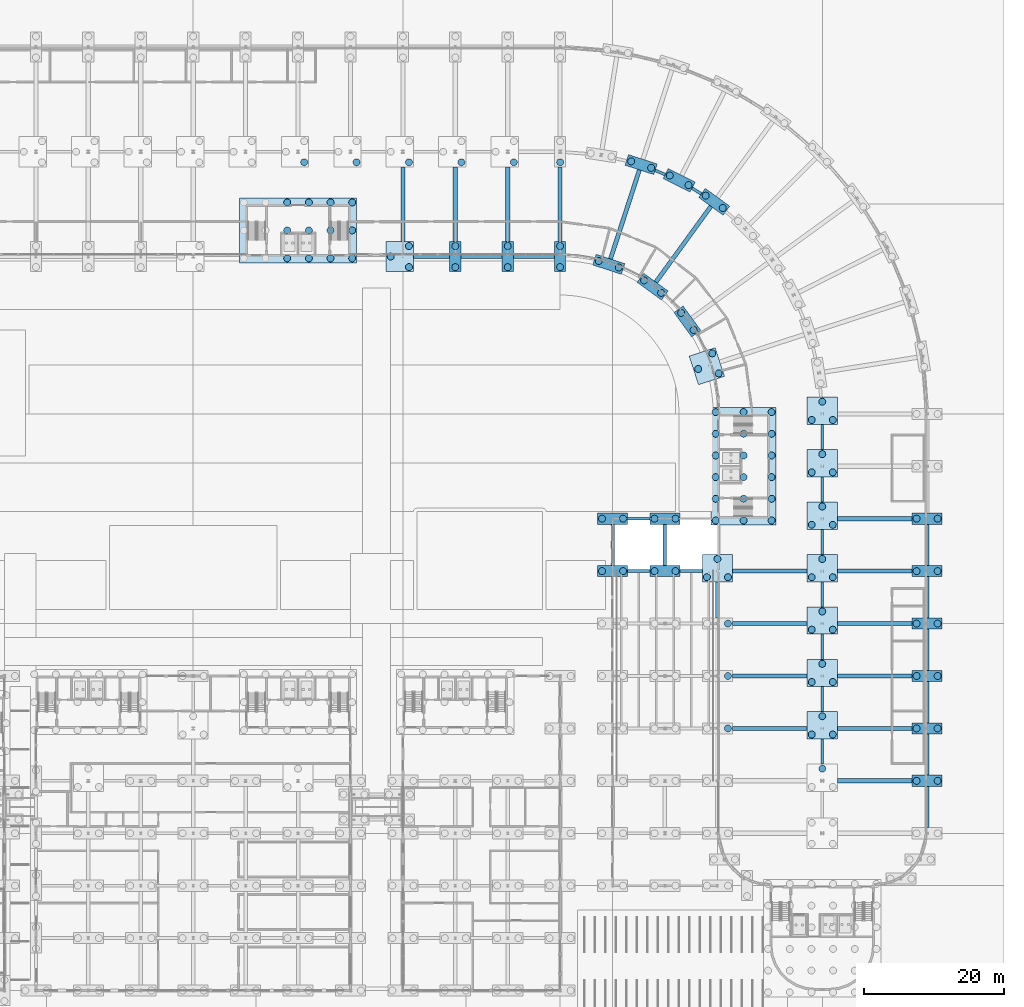
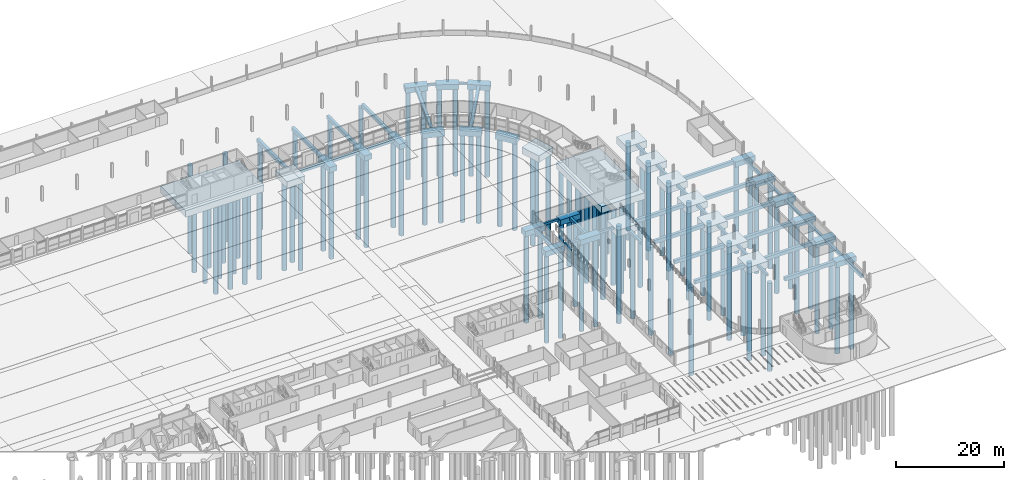
# One storey, part 6 of 130: 108 piles, 71 footings.
"""IFC4 building model written with IfcOpenShell, lengths in metres."""

from ifc_helpers import new_model, si_unit, direction, frame, origin, origin_2d, place, context, subcontext, project, spatial, rectangle, circle, extrude, material, material_profile, profile_set, type_object, element, save


model = new_model("IFC4")

# Units and contexts
model_context = context("Model", 3, precision=1e-05, world=origin(), true_north=direction((0.0, 1.0)))
body_context = subcontext(model_context, "Body", "Model", "MODEL_VIEW")
ifc_project = project(units=[si_unit("LENGTHUNIT", "METRE"), si_unit("AREAUNIT", "SQUARE_METRE"), si_unit("VOLUMEUNIT", "CUBIC_METRE"), si_unit("PLANEANGLEUNIT", "RADIAN"), si_unit("MASSUNIT", "GRAM", prefix="KILO")], contexts=[model_context])

# Site, building, storey
site_placement = place(None, origin())
site = spatial("IfcSite", under=ifc_project, at=site_placement, CompositionType="ELEMENT")
building_placement = place(site_placement, origin())
building = spatial("IfcBuilding", under=site, at=building_placement, Name="Parallax Yard Mobility Hub", CompositionType="ELEMENT")
storey_placement = place(building_placement, origin())
storey = spatial("IfcBuildingStorey", under=building, at=storey_placement, Name="L00", CompositionType="ELEMENT", Elevation=0.0)

# Piles
ifc_material = material(Name="Concrete fc' 28 MPa", Category="concrete")
ifc_material_profile_1 = material_profile(ifc_material, circle(Radius=0.5, at=origin_2d()), Name="Bored pile D1000")
ifc_profile_set_1 = profile_set([ifc_material_profile_1], Name="Concrete fc' 28 MPa")
pile_type = type_object("IfcPileType", Name="Bored pile D1000", PredefinedType="BORED", material=ifc_profile_set_1)
for number, where, z_axis, x_axis, name in (
    (1, (178.4951171875, 67.5, -1.35009765625), (0.0, 0.0, -1.0), (1.0, 0.0, 0.0), "Bored pile 1 of PC1 under column V2 at K/25"),
    (2, (181.5048828125, 67.5, -1.35009765625), (0.0, 0.0, -1.0), (1.0, 0.0, 0.0), "Bored pile 2 of PC1 under column V2 at K/25"),
    (3, (185.9951171875, 67.5, -1.35009765625), (0.0, 0.0, -1.0), (1.0, 0.0, 0.0), "Bored pile 1 of PC1 under column V2 at K/26"),
    (4, (189.0048828125, 67.5, -1.35009765625), (0.0, 0.0, -1.0), (1.0, 0.0, 0.0), "Bored pile 2 of PC1 under column V2 at K/26"),
    (5, (178.4951171875, 75.0, -1.35009765625), (0.0, 0.0, -1.0), (1.0, 0.0, 0.0), "Bored pile 1 of PC1 under column V2 at L/25"),
    (6, (181.5048828125, 75.0, -1.35009765625), (0.0, 0.0, -1.0), (1.0, 0.0, 0.0), "Bored pile 2 of PC1 under column V2 at L/25"),
    (7, (185.9951171875, 75.0, -1.35009765625), (0.0, 0.0, -1.0), (1.0, 0.0, 0.0), "Bored pile 1 of PC1 under column V2 at L/26"),
    (8, (189.0048828125, 75.0, -1.35009765625), (0.0, 0.0, -1.0), (1.0, 0.0, 0.0), "Bored pile 2 of PC1 under column V2 at L/26"),
    (9, (210.0, 39.23779296875, -1.64990234375), (0.0, 0.0, -1.0), (1.0, 0.0, 0.0), "Bored pile 3 of PC3 under column V4 at F/29"),
    (10, (223.4951171875, 37.5, -1.35009765625), (0.0, 0.0, -1.0), (1.0, 0.0, 0.0), "Bored pile 1 of PC1 under column V4 at F/31"),
    (11, (226.5048828125, 37.5, -1.35009765625), (0.0, 0.0, -1.0), (1.0, 0.0, 0.0), "Bored pile 2 of PC1 under column V4 at F/31"),
    (12, (196.5048828125, 45.0, -1.35009765625), (0.0, 0.0, -1.0), (1.0, 0.0, 0.0), "Bored pile 2 of PC1 under column V4 at G/27"),
    (13, (208.4951171875, 44.131103515625, -1.64990234375), (0.0, 0.0, -1.0), (1.0, 0.0, 0.0), "Bored pile 1 of PC3 under column V4 at G/29"),
    (14, (211.5048828125, 44.131103515625, -1.64990234375), (0.0, 0.0, -1.0), (1.0, 0.0, 0.0), "Bored pile 2 of PC3 under column V4 at G/29"),
    (15, (210.0, 46.73779296875, -1.64990234375), (0.0, 0.0, -1.0), (1.0, 0.0, 0.0), "Bored pile 3 of PC3 under column V4 at G/29"),
    (16, (223.4951171875, 45.0, -1.35009765625), (0.0, 0.0, -1.0), (1.0, 0.0, 0.0), "Bored pile 1 of PC1 under column V4 at G/31"),
    (17, (226.5048828125, 45.0, -1.35009765625), (0.0, 0.0, -1.0), (1.0, 0.0, 0.0), "Bored pile 2 of PC1 under column V4 at G/31"),
    (18, (196.5048828125, 52.5, -1.35009765625), (0.0, 0.0, -1.0), (1.0, 0.0, 0.0), "Bored pile 2 of PC1 under column V4 at H/27"),
    (19, (208.4951171875, 51.631103515625, -1.64990234375), (0.0, 0.0, -1.0), (1.0, 0.0, 0.0), "Bored pile 1 of PC3 under column V4 at H/29"),
    (20, (211.5048828125, 51.631103515625, -1.64990234375), (0.0, 0.0, -1.0), (1.0, 0.0, 0.0), "Bored pile 2 of PC3 under column V4 at H/29"),
    (21, (210.0, 54.23779296875, -1.64990234375), (0.0, 0.0, -1.0), (1.0, 0.0, 0.0), "Bored pile 3 of PC3 under column V4 at H/29"),
    (22, (223.4951171875, 52.5, -1.35009765625), (0.0, 0.0, -1.0), (1.0, 0.0, 0.0), "Bored pile 1 of PC1 under column V4 at H/31"),
    (23, (226.5048828125, 52.5, -1.35009765625), (0.0, 0.0, -1.0), (1.0, 0.0, 0.0), "Bored pile 2 of PC1 under column V4 at H/31"),
    (24, (196.5048828125, 60.0, -1.35009765625), (0.0, 0.0, -1.0), (1.0, 0.0, 0.0), "Bored pile 2 of PC1 under column V4 at J/27"),
    (25, (208.4951171875, 59.131103515625, -1.64990234375), (0.0, 0.0, -1.0), (1.0, 0.0, 0.0), "Bored pile 1 of PC3 under column V4 at J/29"),
    (26, (211.5048828125, 59.131103515625, -1.64990234375), (0.0, 0.0, -1.0), (1.0, 0.0, 0.0), "Bored pile 2 of PC3 under column V4 at J/29"),
    (27, (210.0, 61.73779296875, -1.64990234375), (0.0, 0.0, -1.0), (1.0, 0.0, 0.0), "Bored pile 3 of PC3 under column V4 at J/29"),
    (28, (223.4951171875, 60.0, -1.35009765625), (0.0, 0.0, -1.0), (1.0, 0.0, 0.0), "Bored pile 1 of PC1 under column V4 at J/31"),
    (29, (226.5048828125, 60.0, -1.35009765625), (0.0, 0.0, -1.0), (1.0, 0.0, 0.0), "Bored pile 2 of PC1 under column V4 at J/31"),
    (30, (193.4951171875, 66.631103515625, -1.64990234375), (0.0, 0.0, -1.0), (1.0, 0.0, 0.0), "Bored pile 1 of PC3 under column V4 at K/27"),
    (31, (196.5048828125, 66.631103515625, -1.64990234375), (0.0, 0.0, -1.0), (1.0, 0.0, 0.0), "Bored pile 2 of PC3 under column V4 at K/27"),
    (32, (195.0, 69.23779296875, -1.64990234375), (0.0, 0.0, -1.0), (1.0, 0.0, 0.0), "Bored pile 3 of PC3 under column V4 at K/27"),
    (33, (208.4951171875, 66.631103515625, -1.64990234375), (0.0, 0.0, -1.0), (1.0, 0.0, 0.0), "Bored pile 1 of PC3 under column V4 at K/29"),
    (34, (211.5048828125, 66.631103515625, -1.64990234375), (0.0, 0.0, -1.0), (1.0, 0.0, 0.0), "Bored pile 2 of PC3 under column V4 at K/29"),
    (35, (210.0, 69.23779296875, -1.64990234375), (0.0, 0.0, -1.0), (1.0, 0.0, 0.0), "Bored pile 3 of PC3 under column V4 at K/29"),
    (36, (223.4951171875, 67.5, -1.35009765625), (0.0, 0.0, -1.0), (1.0, 0.0, 0.0), "Bored pile 1 of PC1 under column V4 at K/31"),
    (37, (226.5048828125, 67.5, -1.35009765625), (0.0, 0.0, -1.0), (1.0, 0.0, 0.0), "Bored pile 2 of PC1 under column V4 at K/31"),
    (38, (208.4951171875, 74.131103515625, -1.64990234375), (0.0, 0.0, -1.0), (1.0, 0.0, 0.0), "Bored pile 1 of PC3 under column V4 at L/29"),
    (39, (211.5048828125, 74.131103515625, -1.64990234375), (0.0, 0.0, -1.0), (1.0, 0.0, 0.0), "Bored pile 2 of PC3 under column V4 at L/29"),
    (40, (210.0, 76.73779296875, -1.64990234375), (0.0, 0.0, -1.0), (1.0, 0.0, 0.0), "Bored pile 3 of PC3 under column V4 at L/29"),
    (41, (223.4951171875, 75.0, -1.35009765625), (0.0, 0.0, -1.0), (1.0, 0.0, 0.0), "Bored pile 1 of PC1 under column V4 at L/31"),
    (42, (226.5048828125, 75.0, -1.35009765625), (0.0, 0.0, -1.0), (1.0, 0.0, 0.0), "Bored pile 2 of PC1 under column V4 at L/31"),
    (43, (208.4951171875, 81.631103515625, -1.64990234375), (0.0, 0.0, -1.0), (1.0, 0.0, 0.0), "Bored pile 1 of PC3 under column V4 at M/29"),
    (44, (211.5048828125, 81.631103515625, -1.64990234375), (0.0, 0.0, -1.0), (1.0, 0.0, 0.0), "Bored pile 2 of PC3 under column V4 at M/29"),
    (45, (210.0, 84.23779296875, -1.64990234375), (0.0, 0.0, -1.0), (1.0, 0.0, 0.0), "Bored pile 3 of PC3 under column V4 at M/29"),
    (46, (208.4951171875, 89.131103515625, -1.64990234375), (0.0, 0.0, -1.0), (1.0, 0.0, 0.0), "Bored pile 1 of PC3 under column V4 at N/29"),
    (47, (211.5048828125, 89.131103515625, -1.64990234375), (0.0, 0.0, -1.0), (1.0, 0.0, 0.0), "Bored pile 2 of PC3 under column V4 at N/29"),
    (48, (210.0, 91.73779296875, -1.64990234375), (0.0, 0.0, -1.0), (1.0, 0.0, 0.0), "Bored pile 3 of PC3 under column V4 at N/29"),
    (49, (150.868896484375, 110.9951171875, -1.64990234375), (0.0, 0.0, -1.0), (1.0, 0.0, 0.0), "Bored pile 1 of PC3 under column V4 at R/21"),
    (50, (150.868896484375, 114.0048828125, -1.64990234375), (0.0, 0.0, -1.0), (1.0, 0.0, 0.0), "Bored pile 2 of PC3 under column V4 at R/21"),
    (51, (148.26220703125, 112.5, -1.64990234375), (0.0, 0.0, -1.0), (1.0, 0.0, 0.0), "Bored pile 3 of PC3 under column V4 at R/21"),
    (52, (157.5, 110.9951171875, -1.35009765625), (0.0, 0.0, -1.0), (1.0, 0.0, 0.0), "Bored pile 1 of PC1 under column V4 at R/22"),
    (53, (157.5, 114.0048828125, -1.35009765625), (0.0, 0.0, -1.0), (1.0, 0.0, 0.0), "Bored pile 2 of PC1 under column V4 at R/22"),
    (54, (165.0, 110.9951171875, -1.35009765625), (0.0, 0.0, -1.0), (1.0, 0.0, 0.0), "Bored pile 1 of PC1 under column V4 at R/23"),
    (55, (165.0, 114.0048828125, -1.35009765625), (0.0, 0.0, -1.0), (1.0, 0.0, 0.0), "Bored pile 2 of PC1 under column V4 at R/23"),
    (56, (172.5, 110.9951171875, -1.35009765625), (0.0, 0.0, -1.0), (1.0, 0.0, 0.0), "Bored pile 1 of PC1 under column V4 at R/24"),
    (57, (172.5, 114.0048828125, -1.35009765625), (0.0, 0.0, -1.0), (1.0, 0.0, 0.0), "Bored pile 2 of PC1 under column V4 at R/24"),
    (58, (180.88427734375, 110.93359375, -1.35009765625), (0.0, 0.0, -1.0), (1.0, 0.0, 0.0), "Bored pile 1 of PC1 under column V4 at RA/R2"),
    (59, (178.021484375, 111.864013671875, -1.35009765625), (0.0, 0.0, -1.0), (1.0, 0.0, 0.0), "Bored pile 2 of PC1 under column V4 at RA/R2"),
    (60, (186.94287109375, 107.318359375, -1.35009765625), (0.0, 0.0, -1.0), (1.0, 0.0, 0.0), "Bored pile 1 of PC1 under column V4 at RA/R4"),
    (61, (184.507568359375, 109.08740234375, -1.35009765625), (0.0, 0.0, -1.0), (1.0, 0.0, 0.0), "Bored pile 2 of PC1 under column V4 at RA/R4"),
    (62, (191.58740234375, 102.007568359375, -1.35009765625), (0.0, 0.0, -1.0), (1.0, 0.0, 0.0), "Bored pile 1 of PC1 under column V4 at RA/R6"),
    (63, (189.818359375, 104.44287109375, -1.35009765625), (0.0, 0.0, -1.0), (1.0, 0.0, 0.0), "Bored pile 2 of PC1 under column V4 at RA/R6"),
    (64, (195.190185546875, 95.7900390625, -1.64990234375), (0.0, 0.0, -1.0), (1.0, 0.0, 0.0), "Bored pile 1 of PC3 under column V4 at RA/R8"),
    (65, (194.260009765625, 98.652587890625, -1.64990234375), (0.0, 0.0, -1.0), (1.0, 0.0, 0.0), "Bored pile 2 of PC3 under column V4 at RA/R8"),
    (66, (192.24609375, 96.416015625, -1.64990234375), (0.0, 0.0, -1.0), (1.0, 0.0, 0.0), "Bored pile 3 of PC3 under column V4 at RA/R8"),
    (67, (185.519287109375, 125.199462890625, -1.35009765625), (0.0, 0.0, -1.0), (1.0, 0.0, 0.0), "Bored pile 1 of PC1 under column V4 at RB/R2"),
    (68, (182.65673828125, 126.129638671875, -1.35009765625), (0.0, 0.0, -1.0), (1.0, 0.0, 0.0), "Bored pile 2 of PC1 under column V4 at RB/R2"),
    (69, (190.865478515625, 122.7294921875, -1.35009765625), (0.0, 0.0, -1.0), (1.0, 0.0, 0.0), "Bored pile 1 of PC1 under column V4 at RB/R3"),
    (70, (188.18359375, 124.095947265625, -1.35009765625), (0.0, 0.0, -1.0), (1.0, 0.0, 0.0), "Bored pile 2 of PC1 under column V4 at RB/R3"),
    (71, (195.759521484375, 119.45361328125, -1.35009765625), (0.0, 0.0, -1.0), (1.0, 0.0, 0.0), "Bored pile 1 of PC1 under column V4 at RB/R4"),
    (72, (193.32421875, 121.22265625, -1.35009765625), (0.0, 0.0, -1.0), (1.0, 0.0, 0.0), "Bored pile 2 of PC1 under column V4 at RB/R4"),
    (73, (135.868896484375, 125.9951171875, -1.64990234375), (0.0, 0.0, -1.0), (1.0, 0.0, 0.0), "Bored pile 1 of PC3 under column V4 at T/19"),
    (74, (143.368896484375, 125.9951171875, -1.64990234375), (0.0, 0.0, -1.0), (1.0, 0.0, 0.0), "Bored pile 1 of PC3 under column V4 at T/20"),
    (75, (150.868896484375, 125.9951171875, -1.64990234375), (0.0, 0.0, -1.0), (1.0, 0.0, 0.0), "Bored pile 1 of PC3 under column V4 at T/21"),
    (76, (158.368896484375, 125.9951171875, -1.64990234375), (0.0, 0.0, -1.0), (1.0, 0.0, 0.0), "Bored pile 1 of PC3 under column V4 at T/22"),
    (77, (165.868896484375, 125.9951171875, -1.64990234375), (0.0, 0.0, -1.0), (1.0, 0.0, 0.0), "Bored pile 1 of PC3 under column V4 at T/23"),
    (78, (172.5, 125.9951171875, -1.35009765625), (0.0, 0.0, -1.0), (1.0, 0.0, 0.0), "Bored pile 1 of PC1 under column V4 at T/24"),
    (79, (202.75, 74.75, -1.64990234375), (0.0, 0.0, -1.0), (1.0, 0.0, 0.0), "Bored pile 1 of PR1 under core C-E"),
    (80, (202.75, 77.85009765625, -1.64990234375), (0.0, 0.0, -1.0), (1.0, 0.0, 0.0), "Bored pile 2 of PR1 under core C-E"),
    (81, (202.75, 80.949951171875, -1.64990234375), (0.0, 0.0, -1.0), (1.0, 0.0, 0.0), "Bored pile 3 of PR1 under core C-E"),
    (82, (202.75, 84.050048828125, -1.64990234375), (0.0, 0.0, -1.0), (1.0, 0.0, 0.0), "Bored pile 4 of PR1 under core C-E"),
    (83, (202.75, 87.14990234375, -1.64990234375), (0.0, 0.0, -1.0), (1.0, 0.0, 0.0), "Bored pile 5 of PR1 under core C-E"),
    (84, (202.75, 90.25, -1.64990234375), (0.0, 0.0, -1.0), (1.0, 0.0, 0.0), "Bored pile 6 of PR1 under core C-E"),
    (85, (198.75, 74.75, -1.64990234375), (0.0, 0.0, -1.0), (1.0, 0.0, 0.0), "Bored pile 7 of PR1 under core C-E"),
    (86, (198.75, 77.85009765625, -1.64990234375), (0.0, 0.0, -1.0), (1.0, 0.0, 0.0), "Bored pile 8 of PR1 under core C-E"),
    (87, (198.75, 80.949951171875, -1.64990234375), (0.0, 0.0, -1.0), (1.0, 0.0, 0.0), "Bored pile 9 of PR1 under core C-E"),
    (88, (198.75, 84.050048828125, -1.64990234375), (0.0, 0.0, -1.0), (1.0, 0.0, 0.0), "Bored pile 10 of PR1 under core C-E"),
    (89, (198.75, 87.14990234375, -1.64990234375), (0.0, 0.0, -1.0), (1.0, 0.0, 0.0), "Bored pile 11 of PR1 under core C-E"),
    (90, (198.75, 90.25, -1.64990234375), (0.0, 0.0, -1.0), (1.0, 0.0, 0.0), "Bored pile 12 of PR1 under core C-E"),
    (91, (194.75, 74.75, -1.64990234375), (0.0, 0.0, -1.0), (1.0, 0.0, 0.0), "Bored pile 13 of PR1 under core C-E"),
    (92, (194.75, 77.85009765625, -1.64990234375), (0.0, 0.0, -1.0), (1.0, 0.0, 0.0), "Bored pile 14 of PR1 under core C-E"),
    (93, (194.75, 80.949951171875, -1.64990234375), (0.0, 0.0, -1.0), (1.0, 0.0, 0.0), "Bored pile 15 of PR1 under core C-E"),
    (94, (194.75, 84.050048828125, -1.64990234375), (0.0, 0.0, -1.0), (1.0, 0.0, 0.0), "Bored pile 16 of PR1 under core C-E"),
    (95, (194.75, 87.14990234375, -1.64990234375), (0.0, 0.0, -1.0), (1.0, 0.0, 0.0), "Bored pile 17 of PR1 under core C-E"),
    (96, (194.75, 90.25, -1.64990234375), (0.0, 0.0, -1.0), (1.0, 0.0, 0.0), "Bored pile 18 of PR1 under core C-E"),
    (97, (133.449951171875, 112.25, -1.64990234375), (0.0, 0.0, -1.0), (1.0, 0.0, 0.0), "Bored pile 3 of PR1 under core C-N2"),
    (98, (136.550048828125, 112.25, -1.64990234375), (0.0, 0.0, -1.0), (1.0, 0.0, 0.0), "Bored pile 4 of PR1 under core C-N2"),
    (99, (139.64990234375, 112.25, -1.64990234375), (0.0, 0.0, -1.0), (1.0, 0.0, 0.0), "Bored pile 5 of PR1 under core C-N2"),
    (100, (142.75, 112.25, -1.64990234375), (0.0, 0.0, -1.0), (1.0, 0.0, 0.0), "Bored pile 6 of PR1 under core C-N2"),
    (101, (133.449951171875, 116.25, -1.64990234375), (0.0, 0.0, -1.0), (1.0, 0.0, 0.0), "Bored pile 9 of PR1 under core C-N2"),
    (102, (136.550048828125, 116.25, -1.64990234375), (0.0, 0.0, -1.0), (1.0, 0.0, 0.0), "Bored pile 10 of PR1 under core C-N2"),
    (103, (139.64990234375, 116.25, -1.64990234375), (0.0, 0.0, -1.0), (1.0, 0.0, 0.0), "Bored pile 11 of PR1 under core C-N2"),
    (104, (142.75, 116.25, -1.64990234375), (0.0, 0.0, -1.0), (1.0, 0.0, 0.0), "Bored pile 12 of PR1 under core C-N2"),
    (105, (133.449951171875, 120.25, -1.64990234375), (0.0, 0.0, -1.0), (1.0, 0.0, 0.0), "Bored pile 15 of PR1 under core C-N2"),
    (106, (136.550048828125, 120.25, -1.64990234375), (0.0, 0.0, -1.0), (1.0, 0.0, 0.0), "Bored pile 16 of PR1 under core C-N2"),
    (107, (139.64990234375, 120.25, -1.64990234375), (0.0, 0.0, -1.0), (1.0, 0.0, 0.0), "Bored pile 17 of PR1 under core C-N2"),
    (108, (142.75, 120.25, -1.64990234375), (0.0, 0.0, -1.0), (1.0, 0.0, 0.0), "Bored pile 18 of PR1 under core C-N2"),
):
    element("IfcPile", number, at=place(storey_placement, frame(where, z_axis=z_axis, x_axis=x_axis)), inside=storey, type_object=pile_type, Name=name, PredefinedType="BORED", context=body_context, shape_type="SweptSolid", body=[
        extrude(circle(Radius=0.5, at=origin_2d()), origin(), (0.0, 0.0, 1.0), 20.0),
    ])

# Footings
footing_type_1 = type_object("IfcFootingType", Name="Core pile raft 16800x9300x1500", PredefinedType="PILE_CAP", material=ifc_material)
for number, where, z_axis, x_axis, name in (
    (109, (198.75, 82.5, -1.75), (0.0, 0.0, 1.0), (0.0, 1.0, 0.0), "Core pile raft PR1 under core C-E"),
    (110, (135.0, 116.25, -1.75), (0.0, 0.0, 1.0), (1.0, 0.0, 0.0), "Core pile raft PR1 under core C-N2"),
):
    element("IfcFooting", number, at=place(storey_placement, frame(where, z_axis=z_axis, x_axis=x_axis)), inside=storey, type_object=footing_type_1, Name=name, PredefinedType="PILE_CAP", context=body_context, shape_type="SweptSolid", body=[
        extrude(rectangle(XDim=16.800048828125, YDim=9.300048828125, at=origin_2d()), origin(), (0.0, 0.0, 1.0), 1.5),
    ])
ifc_material_profile_2 = material_profile(ifc_material, rectangle(XDim=0.39990234375, YDim=0.5, at=origin_2d()), Name="Grade beam 400x500")
ifc_profile_set_2 = profile_set([ifc_material_profile_2], Name="Concrete fc' 28 MPa")
footing_type_2 = type_object("IfcFootingType", Name="Grade beam 400x500", PredefinedType="STRIP_FOOTING", material=ifc_profile_set_2)
for number, where, z_axis, x_axis, name in (
    (111, (182.155029296875, 67.5, -0.5), (1.0, 0.0, 0.0), (0.0, 1.0, 0.0), "Grade beam GB1 between K/25 and K/26 of ramp house"),
    (112, (189.655029296875, 67.5, -0.5), (1.0, 0.0, 0.0), (0.0, 1.0, 0.0), "Grade beam GB1 between K/26 and K/27 of ramp house"),
    (113, (182.155029296875, 75.0, -0.5), (1.0, 0.0, 0.0), (0.0, 1.0, 0.0), "Grade beam GB1 between L/25 and L/26 of ramp house"),
):
    element("IfcFooting", number, at=place(storey_placement, frame(where, z_axis=z_axis, x_axis=x_axis)), inside=storey, type_object=footing_type_2, Name=name, PredefinedType="STRIP_FOOTING", context=body_context, shape_type="SweptSolid", body=[
        extrude(rectangle(XDim=0.39990234375, YDim=0.5, at=origin_2d()), origin(), (0.0, 0.0, 1.0), 3.18994140625),
    ])
for number, where, z_axis, x_axis, name in (
    (114, (210.0, 39.8876953125, -0.5), (0.0, 1.0, 0.0), (-1.0, 0.0, 0.0), "Grade beam GB1 between F/29 and G/29 of ramped parking decks"),
    (115, (210.0, 47.3876953125, -0.5), (0.0, 1.0, 0.0), (-1.0, 0.0, 0.0), "Grade beam GB1 between G/29 and H/29 of ramped parking decks"),
    (116, (210.0, 54.8876953125, -0.5), (0.0, 1.0, 0.0), (-1.0, 0.0, 0.0), "Grade beam GB1 between H/29 and J/29 of ramped parking decks"),
    (117, (210.0, 62.3876953125, -0.5), (0.0, 1.0, 0.0), (-1.0, 0.0, 0.0), "Grade beam GB1 between J/29 and K/29 of ramped parking decks"),
    (118, (210.0, 69.8876953125, -0.5), (0.0, 1.0, 0.0), (-1.0, 0.0, 0.0), "Grade beam GB1 between K/29 and L/29 of ramped parking decks"),
    (119, (210.0, 77.3876953125, -0.5), (0.0, 1.0, 0.0), (-1.0, 0.0, 0.0), "Grade beam GB1 between L/29 and M/29 of ramped parking decks"),
    (120, (210.0, 84.8876953125, -0.5), (0.0, 1.0, 0.0), (-1.0, 0.0, 0.0), "Grade beam GB1 between M/29 and N/29 of ramped parking decks"),
):
    element("IfcFooting", number, at=place(storey_placement, frame(where, z_axis=z_axis, x_axis=x_axis)), inside=storey, type_object=footing_type_2, Name=name, PredefinedType="STRIP_FOOTING", context=body_context, shape_type="SweptSolid", body=[
        extrude(rectangle(XDim=0.39990234375, YDim=0.5, at=origin_2d()), origin(), (0.0, 0.0, 1.0), 3.593505859375),
    ])
footing_1_placement = place(storey_placement, frame((186.085205078125, 124.83740234375, -0.5), z_axis=(0.923889137288, -0.382660243559, 0.0), x_axis=(0.382660243559, 0.923889137288, 0.0)))
element("IfcFooting", 121, at=footing_1_placement, inside=storey, type_object=footing_type_2, Name="Grade beam GB1 between RB/R2 and RB/R3 of ramped parking decks", PredefinedType="STRIP_FOOTING", context=body_context, shape_type="SweptSolid", body=[
    extrude(rectangle(XDim=0.39990234375, YDim=0.5, at=origin_2d()), origin(), (0.0, 0.0, 1.0), 1.561279296875),
])
footing_2_placement = place(storey_placement, frame((191.36767578125, 122.283203125, -0.5), z_axis=(0.852639460449, -0.522499713382, 0.0), x_axis=(0.522499713382, 0.852639460449, 0.0)))
element("IfcFooting", 122, at=footing_2_placement, inside=storey, type_object=footing_type_2, Name="Grade beam GB1 between RB/R3 and RB/R4 of ramped parking decks", PredefinedType="STRIP_FOOTING", context=body_context, shape_type="SweptSolid", body=[
    extrude(rectangle(XDim=0.39990234375, YDim=0.5, at=origin_2d()), origin(), (0.0, 0.0, 1.0), 1.56103515625),
])
ifc_material_profile_3 = material_profile(ifc_material, rectangle(XDim=0.5, YDim=0.60009765625, at=origin_2d()), Name="Grade beam 500x600")
ifc_profile_set_3 = profile_set([ifc_material_profile_3], Name="Concrete fc' 28 MPa")
footing_type_3 = type_object("IfcFootingType", Name="Grade beam 500x600", PredefinedType="STRIP_FOOTING", material=ifc_profile_set_3)
for number, where, z_axis, x_axis, name in (
    (123, (180.0, 68.300048828125, -0.550048828125), (0.0, 1.0, 0.0), (-1.0, 0.0, 0.0), "Grade beam GB2 between K/25 and L/25 of ramp house"),
    (124, (187.5, 68.300048828125, -0.550048828125), (0.0, 1.0, 0.0), (-1.0, 0.0, 0.0), "Grade beam GB2 between K/26 and L/26 of ramp house"),
    (125, (225.0, 30.800048828125, -0.550048828125), (0.0, 1.0, 0.0), (-1.0, 0.0, 0.0), "Grade beam GB2 between E/31 and F/31 of ramped parking decks"),
    (126, (225.0, 38.300048828125, -0.550048828125), (0.0, 1.0, 0.0), (-1.0, 0.0, 0.0), "Grade beam GB2 between F/31 and G/31 of ramped parking decks"),
    (127, (225.0, 45.800048828125, -0.550048828125), (0.0, 1.0, 0.0), (-1.0, 0.0, 0.0), "Grade beam GB2 between G/31 and H/31 of ramped parking decks"),
    (128, (225.0, 53.300048828125, -0.550048828125), (0.0, 1.0, 0.0), (-1.0, 0.0, 0.0), "Grade beam GB2 between H/31 and J/31 of ramped parking decks"),
):
    element("IfcFooting", number, at=place(storey_placement, frame(where, z_axis=z_axis, x_axis=x_axis)), inside=storey, type_object=footing_type_3, Name=name, PredefinedType="STRIP_FOOTING", context=body_context, shape_type="SweptSolid", body=[
        extrude(rectangle(XDim=0.5, YDim=0.60009765625, at=origin_2d()), origin(), (0.0, 0.0, 1.0), 5.89990234375),
    ])
footing_3_placement = place(storey_placement, frame((195.0, 60.800048828125, -0.550048828125), z_axis=(0.0, 1.0, 0.0), x_axis=(-1.0, 0.0, 0.0)))
element("IfcFooting", 129, at=footing_3_placement, inside=storey, type_object=footing_type_3, Name="Grade beam GB2 between J/27 and K/27 of ramped parking decks", PredefinedType="STRIP_FOOTING", context=body_context, shape_type="SweptSolid", body=[
    extrude(rectangle(XDim=0.5, YDim=0.60009765625, at=origin_2d()), origin(), (0.0, 0.0, 1.0), 5.18115234375),
])
for number, where, z_axis, x_axis, name in (
    (130, (225.0, 60.800048828125, -0.550048828125), (0.0, 1.0, 0.0), (-1.0, 0.0, 0.0), "Grade beam GB2 between J/31 and K/31 of ramped parking decks"),
    (131, (225.0, 68.300048828125, -0.550048828125), (0.0, 1.0, 0.0), (-1.0, 0.0, 0.0), "Grade beam GB2 between K/31 and L/31 of ramped parking decks"),
):
    element("IfcFooting", number, at=place(storey_placement, frame(where, z_axis=z_axis, x_axis=x_axis)), inside=storey, type_object=footing_type_3, Name=name, PredefinedType="STRIP_FOOTING", context=body_context, shape_type="SweptSolid", body=[
        extrude(rectangle(XDim=0.5, YDim=0.60009765625, at=origin_2d()), origin(), (0.0, 0.0, 1.0), 5.89990234375),
    ])
footing_4_placement = place(storey_placement, frame((151.518798828125, 112.5, -0.550048828125), z_axis=(1.0, 0.0, 0.0), x_axis=(0.0, 1.0, 0.0)))
element("IfcFooting", 132, at=footing_4_placement, inside=storey, type_object=footing_type_3, Name="Grade beam GB2 between R/21 and R/22 of ramped parking decks", PredefinedType="STRIP_FOOTING", context=body_context, shape_type="SweptSolid", body=[
    extrude(rectangle(XDim=0.5, YDim=0.60009765625, at=origin_2d()), origin(), (0.0, 0.0, 1.0), 5.18115234375),
])
for number, where, z_axis, x_axis, name in (
    (133, (158.300048828125, 112.5, -0.550048828125), (1.0, 0.0, 0.0), (0.0, 1.0, 0.0), "Grade beam GB2 between R/22 and R/23 of ramped parking decks"),
    (134, (165.800048828125, 112.5, -0.550048828125), (1.0, 0.0, 0.0), (0.0, 1.0, 0.0), "Grade beam GB2 between R/23 and R/24 of ramped parking decks"),
):
    element("IfcFooting", number, at=place(storey_placement, frame(where, z_axis=z_axis, x_axis=x_axis)), inside=storey, type_object=footing_type_3, Name=name, PredefinedType="STRIP_FOOTING", context=body_context, shape_type="SweptSolid", body=[
        extrude(rectangle(XDim=0.5, YDim=0.60009765625, at=origin_2d()), origin(), (0.0, 0.0, 1.0), 5.89990234375),
    ])
ifc_material_profile_4 = material_profile(ifc_material, rectangle(XDim=0.60009765625, YDim=0.800048828125, at=origin_2d()), Name="Grade beam 600x800")
ifc_profile_set_4 = profile_set([ifc_material_profile_4], Name="Concrete fc' 28 MPa")
footing_type_4 = type_object("IfcFootingType", Name="Grade beam 600x800", PredefinedType="STRIP_FOOTING", material=ifc_profile_set_4)
for number, where, z_axis, x_axis, name in (
    (135, (212.155029296875, 37.5, -0.64990234375), (1.0, 0.0, 0.0), (0.0, 1.0, 0.0), "Grade beam GB3 between F/29 and F/31 of ramped parking decks"),
    (136, (197.155029296875, 45.0, -0.64990234375), (1.0, 0.0, 0.0), (0.0, 1.0, 0.0), "Grade beam GB3 between G/27 and G/29 of ramped parking decks"),
    (137, (212.155029296875, 45.0, -0.64990234375), (1.0, 0.0, 0.0), (0.0, 1.0, 0.0), "Grade beam GB3 between G/29 and G/31 of ramped parking decks"),
    (138, (197.155029296875, 52.5, -0.64990234375), (1.0, 0.0, 0.0), (0.0, 1.0, 0.0), "Grade beam GB3 between H/27 and H/29 of ramped parking decks"),
    (139, (212.155029296875, 52.5, -0.64990234375), (1.0, 0.0, 0.0), (0.0, 1.0, 0.0), "Grade beam GB3 between H/29 and H/31 of ramped parking decks"),
    (140, (197.155029296875, 60.0, -0.64990234375), (1.0, 0.0, 0.0), (0.0, 1.0, 0.0), "Grade beam GB3 between J/27 and J/29 of ramped parking decks"),
    (141, (212.155029296875, 60.0, -0.64990234375), (1.0, 0.0, 0.0), (0.0, 1.0, 0.0), "Grade beam GB3 between J/29 and J/31 of ramped parking decks"),
    (142, (197.155029296875, 67.5, -0.64990234375), (1.0, 0.0, 0.0), (0.0, 1.0, 0.0), "Grade beam GB3 between K/27 and K/29 of ramped parking decks"),
    (143, (212.155029296875, 67.5, -0.64990234375), (1.0, 0.0, 0.0), (0.0, 1.0, 0.0), "Grade beam GB3 between K/29 and K/31 of ramped parking decks"),
    (144, (212.155029296875, 75.0, -0.64990234375), (1.0, 0.0, 0.0), (0.0, 1.0, 0.0), "Grade beam GB3 between L/29 and L/31 of ramped parking decks"),
    (145, (150.0, 114.655029296875, -0.64990234375), (0.0, 1.0, 0.0), (-1.0, 0.0, 0.0), "Grade beam GB3 between R/21 and T/21 of ramped parking decks"),
    (146, (157.5, 114.655029296875, -0.64990234375), (0.0, 1.0, 0.0), (-1.0, 0.0, 0.0), "Grade beam GB3 between R/22 and T/22 of ramped parking decks"),
    (147, (165.0, 114.655029296875, -0.64990234375), (0.0, 1.0, 0.0), (-1.0, 0.0, 0.0), "Grade beam GB3 between R/23 and T/23 of ramped parking decks"),
    (148, (172.5, 114.655029296875, -0.64990234375), (0.0, 1.0, 0.0), (-1.0, 0.0, 0.0), "Grade beam GB3 between R/24 and T/24 of ramped parking decks"),
):
    element("IfcFooting", number, at=place(storey_placement, frame(where, z_axis=z_axis, x_axis=x_axis)), inside=storey, type_object=footing_type_4, Name=name, PredefinedType="STRIP_FOOTING", context=body_context, shape_type="SweptSolid", body=[
        extrude(rectangle(XDim=0.60009765625, YDim=0.800048828125, at=origin_2d()), origin(), (0.0, 0.0, 1.0), 10.68994140625),
    ])
footing_5_placement = place(storey_placement, frame((179.7001953125, 112.15966796875, -0.64990234375), z_axis=(0.309003676349, 0.951060843481, 0.0), x_axis=(-0.951060843481, 0.309003676349, 0.0)))
element("IfcFooting", 149, at=footing_5_placement, inside=storey, type_object=footing_type_4, Name="Grade beam GB3 between RA/R2 and RB/R2 of ramped parking decks", PredefinedType="STRIP_FOOTING", context=body_context, shape_type="SweptSolid", body=[
    extrude(rectangle(XDim=0.60009765625, YDim=0.800048828125, at=origin_2d()), origin(), (0.0, 0.0, 1.0), 13.39990234375),
])
footing_6_placement = place(storey_placement, frame((186.1953125, 108.85009765625, -0.64990234375), z_axis=(0.587792473715, 0.809011747655, 0.0), x_axis=(-0.809011747655, 0.587792473715, 0.0)))
element("IfcFooting", 150, at=footing_6_placement, inside=storey, type_object=footing_type_4, Name="Grade beam GB3 between RA/R4 and RB/R4 of ramped parking decks", PredefinedType="STRIP_FOOTING", context=body_context, shape_type="SweptSolid", body=[
    extrude(rectangle(XDim=0.60009765625, YDim=0.800048828125, at=origin_2d()), origin(), (0.0, 0.0, 1.0), 13.400146484375),
])
footing_type_5 = type_object("IfcFootingType", Name="Pile cap 4310x1600x1200", PredefinedType="PILE_CAP", material=ifc_material)
for number, where, z_axis, x_axis, name in (
    (151, (180.0, 67.5, -1.4501953125), (0.0, 0.0, 1.0), (1.0, 0.0, 0.0), "Pile cap PC1 under column V2 at K/25"),
    (152, (187.5, 67.5, -1.4501953125), (0.0, 0.0, 1.0), (1.0, 0.0, 0.0), "Pile cap PC1 under column V2 at K/26"),
    (153, (180.0, 75.0, -1.4501953125), (0.0, 0.0, 1.0), (1.0, 0.0, 0.0), "Pile cap PC1 under column V2 at L/25"),
    (154, (187.5, 75.0, -1.4501953125), (0.0, 0.0, 1.0), (1.0, 0.0, 0.0), "Pile cap PC1 under column V2 at L/26"),
    (155, (225.0, 37.5, -1.4501953125), (0.0, 0.0, 1.0), (1.0, 0.0, 0.0), "Pile cap PC1 under column V4 at F/31"),
    (156, (225.0, 45.0, -1.4501953125), (0.0, 0.0, 1.0), (1.0, 0.0, 0.0), "Pile cap PC1 under column V4 at G/31"),
    (157, (225.0, 52.5, -1.4501953125), (0.0, 0.0, 1.0), (1.0, 0.0, 0.0), "Pile cap PC1 under column V4 at H/31"),
    (158, (225.0, 60.0, -1.4501953125), (0.0, 0.0, 1.0), (1.0, 0.0, 0.0), "Pile cap PC1 under column V4 at J/31"),
    (159, (225.0, 67.5, -1.4501953125), (0.0, 0.0, 1.0), (1.0, 0.0, 0.0), "Pile cap PC1 under column V4 at K/31"),
    (160, (225.0, 75.0, -1.4501953125), (0.0, 0.0, 1.0), (1.0, 0.0, 0.0), "Pile cap PC1 under column V4 at L/31"),
    (161, (157.5, 112.5, -1.4501953125), (0.0, 0.0, 1.0), (0.0, 1.0, 0.0), "Pile cap PC1 under column V4 at R/22"),
    (162, (165.0, 112.5, -1.4501953125), (0.0, 0.0, 1.0), (0.0, 1.0, 0.0), "Pile cap PC1 under column V4 at R/23"),
    (163, (172.5, 112.5, -1.4501953125), (0.0, 0.0, 1.0), (0.0, 1.0, 0.0), "Pile cap PC1 under column V4 at R/24"),
    (164, (179.452880859375, 111.398681640625, -1.4501953125), (0.0, 0.0, 1.0), (-0.951056516295, 0.309016994375, 0.0), "Pile cap PC1 under column V4 at RA/R2"),
    (165, (185.72509765625, 108.202880859375, -1.4501953125), (0.0, 0.0, 1.0), (-0.809016994375, 0.587785252292, 0.0), "Pile cap PC1 under column V4 at RA/R4"),
    (166, (190.702880859375, 103.22509765625, -1.4501953125), (0.0, 0.0, 1.0), (-0.587785252292, 0.809016994375, 0.0), "Pile cap PC1 under column V4 at RA/R6"),
    (167, (184.088134765625, 125.66455078125, -1.4501953125), (0.0, 0.0, 1.0), (-0.951056516295, 0.309016994375, 0.0), "Pile cap PC1 under column V4 at RB/R2"),
    (168, (189.524658203125, 123.41259765625, -1.4501953125), (0.0, 0.0, 1.0), (-0.891006524188, 0.45399049974, 0.0), "Pile cap PC1 under column V4 at RB/R3"),
    (169, (194.5419921875, 120.338134765625, -1.4501953125), (0.0, 0.0, 1.0), (-0.809016994375, 0.587785252292, 0.0), "Pile cap PC1 under column V4 at RB/R4"),
):
    element("IfcFooting", number, at=place(storey_placement, frame(where, z_axis=z_axis, x_axis=x_axis)), inside=storey, type_object=footing_type_5, Name=name, PredefinedType="PILE_CAP", context=body_context, shape_type="SweptSolid", body=[
        extrude(rectangle(XDim=4.31005859375, YDim=1.60009765625, at=origin_2d()), origin(), (0.0, 0.0, 1.0), 1.199951171875),
    ])
footing_type_6 = type_object("IfcFootingType", Name="Pile cap 4310x3907x1500", PredefinedType="PILE_CAP", material=ifc_material)
for number, where, z_axis, x_axis, name in (
    (170, (210.0, 45.4345703125, -1.75), (0.0, 0.0, 1.0), (1.0, 0.0, 0.0), "Pile cap PC3 under column V4 at G/29"),
    (171, (210.0, 52.9345703125, -1.75), (0.0, 0.0, 1.0), (1.0, 0.0, 0.0), "Pile cap PC3 under column V4 at H/29"),
    (172, (210.0, 60.4345703125, -1.75), (0.0, 0.0, 1.0), (1.0, 0.0, 0.0), "Pile cap PC3 under column V4 at J/29"),
    (173, (195.0, 67.9345703125, -1.75), (0.0, 0.0, 1.0), (1.0, 0.0, 0.0), "Pile cap PC3 under column V4 at K/27"),
    (174, (210.0, 67.9345703125, -1.75), (0.0, 0.0, 1.0), (1.0, 0.0, 0.0), "Pile cap PC3 under column V4 at K/29"),
    (175, (210.0, 75.4345703125, -1.75), (0.0, 0.0, 1.0), (1.0, 0.0, 0.0), "Pile cap PC3 under column V4 at L/29"),
    (176, (210.0, 82.9345703125, -1.75), (0.0, 0.0, 1.0), (1.0, 0.0, 0.0), "Pile cap PC3 under column V4 at M/29"),
    (177, (210.0, 90.4345703125, -1.75), (0.0, 0.0, 1.0), (1.0, 0.0, 0.0), "Pile cap PC3 under column V4 at N/29"),
    (178, (149.5654296875, 112.5, -1.75), (0.0, 0.0, 1.0), (0.0, 1.0, 0.0), "Pile cap PC3 under column V4 at R/21"),
    (179, (193.485595703125, 96.818603515625, -1.75), (0.0, 0.0, 1.0), (-0.309016994375, 0.951056516295, 0.0), "Pile cap PC3 under column V4 at RA/R8"),
):
    element("IfcFooting", number, at=place(storey_placement, frame(where, z_axis=z_axis, x_axis=x_axis)), inside=storey, type_object=footing_type_6, Name=name, PredefinedType="PILE_CAP", context=body_context, shape_type="SweptSolid", body=[
        extrude(rectangle(XDim=4.31005859375, YDim=3.90673828125, at=origin_2d()), origin(), (0.0, 0.0, 1.0), 1.5),
    ])

save(model, "model.ifc")
